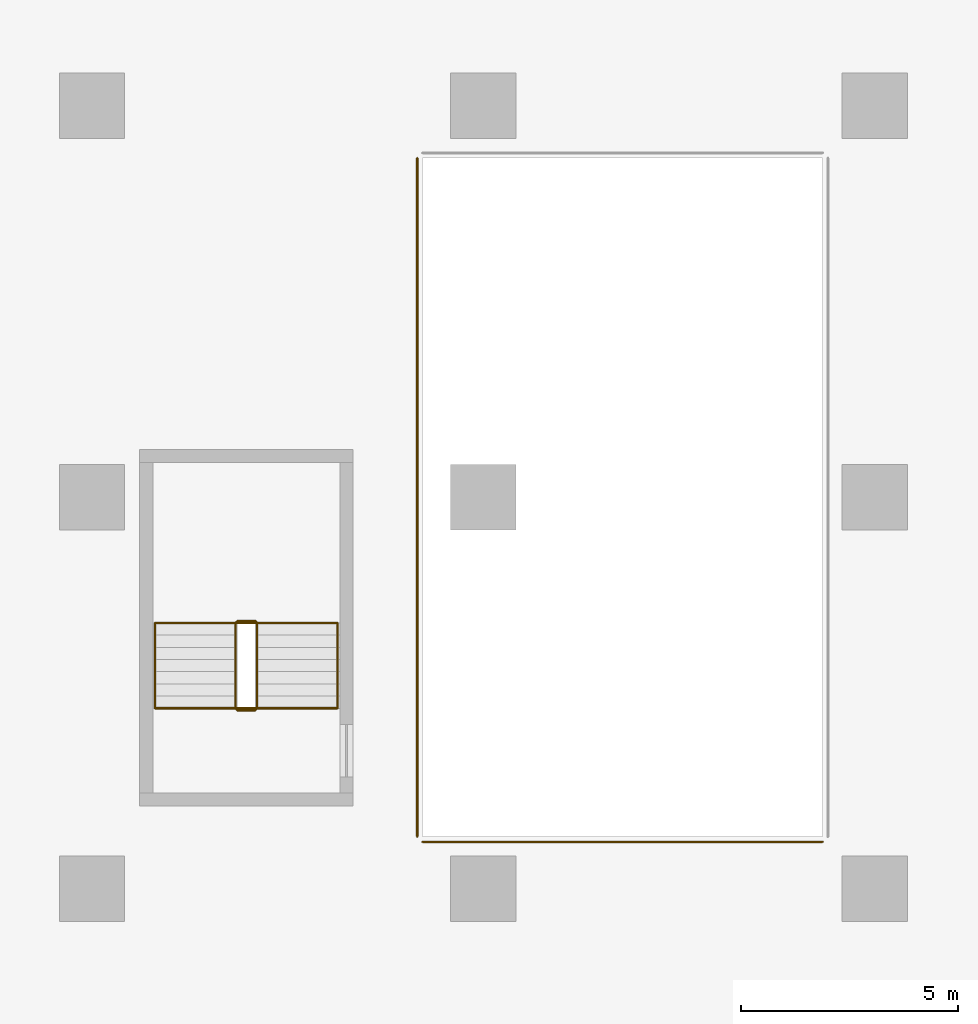
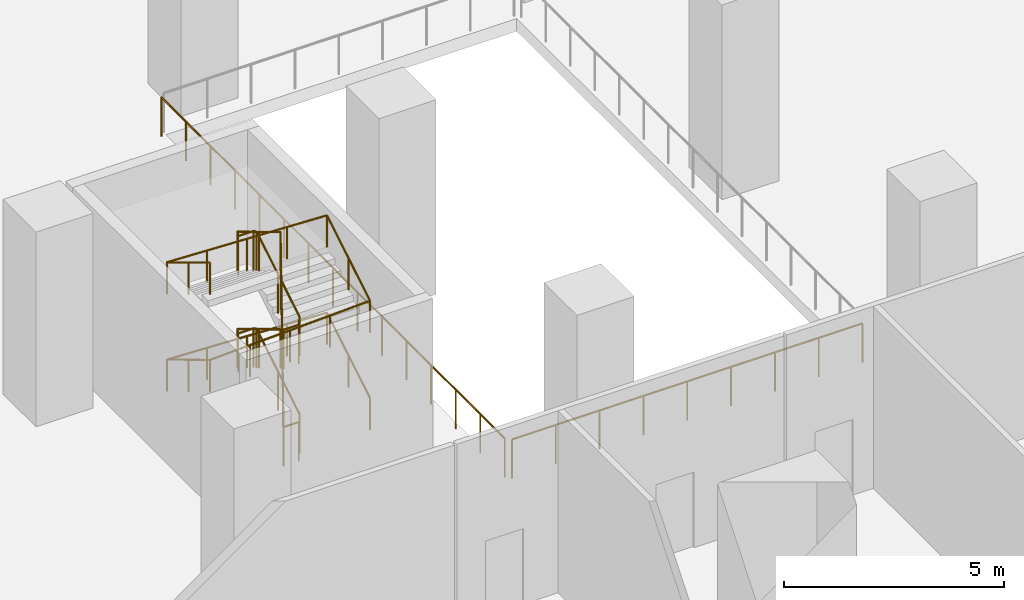
# One storey, part 31 of 44: 4 railings.
"""IFC4 building model written with IfcOpenShell, lengths in metres."""

from ifc_helpers import new_model, si_unit, direction, frame, origin, origin_2d, place, context, subcontext, project, spatial, circle, extrude, material, type_object, element, save


model = new_model("IFC4")

# Units and contexts
model_context = context("Model", 3, precision=1e-05, world=origin(), true_north=direction((0.0, 1.0)))
body_context = subcontext(model_context, "Body", "Model", "MODEL_VIEW")
ifc_project = project(units=[si_unit("LENGTHUNIT", "METRE"), si_unit("AREAUNIT", "SQUARE_METRE"), si_unit("VOLUMEUNIT", "CUBIC_METRE"), si_unit("PLANEANGLEUNIT", "RADIAN"), si_unit("MASSUNIT", "GRAM", prefix="KILO")], contexts=[model_context])

# Site, building, storey
site_placement = place(None, origin())
site = spatial("IfcSite", under=ifc_project, at=site_placement, CompositionType="ELEMENT")
building_placement = place(site_placement, origin())
building = spatial("IfcBuilding", under=site, at=building_placement, Name="Hunhe Ridgeline Campus", CompositionType="ELEMENT")
storey_placement = place(building_placement, frame((0.0, 0.0, 6.0)))
storey = spatial("IfcBuildingStorey", under=building, at=storey_placement, Name="L01", CompositionType="ELEMENT", Elevation=6.0)

# Railings
ifc_material_1 = material(Name="Glass and steel", Category="steel")
railing_type_1 = type_object("IfcRailingType", Name="Atrium glass guard 1100", PredefinedType="GUARDRAIL", material=ifc_material_1)
railing_1_placement = place(storey_placement, frame((25.47998046875, 43.800048828125, 0.0)))
element("IfcRailing", 1, at=railing_1_placement, inside=storey, type_object=railing_type_1, Name="L01 atrium guard", PredefinedType="GUARDRAIL", context=body_context, shape_type="SweptSolid", body=[
    extrude(circle(Radius=0.02392578125, at=origin_2d()), frame((0.0, 0.0, 1.076171875), z_axis=(0.0, -1.0, 0.0), x_axis=(1.0, 0.0, 0.0)), (0.0, 0.0, 1.0), 15.60009765625),
    extrude(circle(Radius=0.02099609375, at=origin_2d()), origin(), (0.0, 0.0, 1.0), 1.052001953125),
    extrude(circle(Radius=0.02099609375, at=origin_2d()), frame((0.0, -1.1142578125, 0.0)), (0.0, 0.0, 1.0), 1.052001953125),
    extrude(circle(Radius=0.02099609375, at=origin_2d()), frame((0.0, -2.228515625, 0.0)), (0.0, 0.0, 1.0), 1.052001953125),
    extrude(circle(Radius=0.02099609375, at=origin_2d()), frame((0.0, -3.3427734375, 0.0)), (0.0, 0.0, 1.0), 1.052001953125),
    extrude(circle(Radius=0.02099609375, at=origin_2d()), frame((0.0, -4.457275390625, 0.0)), (0.0, 0.0, 1.0), 1.052001953125),
    extrude(circle(Radius=0.02099609375, at=origin_2d()), frame((0.0, -5.571533203125, 0.0)), (0.0, 0.0, 1.0), 1.052001953125),
    extrude(circle(Radius=0.02099609375, at=origin_2d()), frame((0.0, -6.685791015625, 0.0)), (0.0, 0.0, 1.0), 1.052001953125),
    extrude(circle(Radius=0.02099609375, at=origin_2d()), frame((0.0, -7.800048828125, 0.0)), (0.0, 0.0, 1.0), 1.052001953125),
    extrude(circle(Radius=0.02099609375, at=origin_2d()), frame((0.0, -8.914306640625, 0.0)), (0.0, 0.0, 1.0), 1.052001953125),
    extrude(circle(Radius=0.02099609375, at=origin_2d()), frame((0.0, -10.028564453125, 0.0)), (0.0, 0.0, 1.0), 1.052001953125),
    extrude(circle(Radius=0.02099609375, at=origin_2d()), frame((0.0, -11.142822265625, 0.0)), (0.0, 0.0, 1.0), 1.052001953125),
    extrude(circle(Radius=0.02099609375, at=origin_2d()), frame((0.0, -12.25732421875, 0.0)), (0.0, 0.0, 1.0), 1.052001953125),
    extrude(circle(Radius=0.02099609375, at=origin_2d()), frame((0.0, -13.37158203125, 0.0)), (0.0, 0.0, 1.0), 1.052001953125),
    extrude(circle(Radius=0.02099609375, at=origin_2d()), frame((0.0, -14.48583984375, 0.0)), (0.0, 0.0, 1.0), 1.052001953125),
    extrude(circle(Radius=0.02099609375, at=origin_2d()), frame((0.0, -15.60009765625, 0.0)), (0.0, 0.0, 1.0), 1.052001953125),
])
railing_2_placement = place(storey_placement, frame((25.60009765625, 28.080078125, 0.0)))
element("IfcRailing", 2, at=railing_2_placement, inside=storey, type_object=railing_type_1, Name="L01 atrium guard", PredefinedType="GUARDRAIL", context=body_context, shape_type="SweptSolid", body=[
    extrude(circle(Radius=0.02392578125, at=origin_2d()), frame((0.0, 0.0, 1.076171875), z_axis=(1.0, 0.0, 0.0), x_axis=(0.0, 1.0, 0.0)), (0.0, 0.0, 1.0), 9.199951171875),
    extrude(circle(Radius=0.02099609375, at=origin_2d()), origin(), (0.0, 0.0, 1.0), 1.052001953125),
    extrude(circle(Radius=0.02099609375, at=origin_2d()), frame((1.14990234375, 0.0, 0.0)), (0.0, 0.0, 1.0), 1.052001953125),
    extrude(circle(Radius=0.02099609375, at=origin_2d()), frame((2.300048828125, 0.0, 0.0)), (0.0, 0.0, 1.0), 1.052001953125),
    extrude(circle(Radius=0.02099609375, at=origin_2d()), frame((3.449951171875, 0.0, 0.0)), (0.0, 0.0, 1.0), 1.052001953125),
    extrude(circle(Radius=0.02099609375, at=origin_2d()), frame((4.60009765625, 0.0, 0.0)), (0.0, 0.0, 1.0), 1.052001953125),
    extrude(circle(Radius=0.02099609375, at=origin_2d()), frame((5.75, 0.0, 0.0)), (0.0, 0.0, 1.0), 1.052001953125),
    extrude(circle(Radius=0.02099609375, at=origin_2d()), frame((6.89990234375, 0.0, 0.0)), (0.0, 0.0, 1.0), 1.052001953125),
    extrude(circle(Radius=0.02099609375, at=origin_2d()), frame((8.050048828125, 0.0, 0.0)), (0.0, 0.0, 1.0), 1.052001953125),
    extrude(circle(Radius=0.02099609375, at=origin_2d()), frame((9.199951171875, 0.0, 0.0)), (0.0, 0.0, 1.0), 1.052001953125),
])
ifc_material_2 = material(Name="Stainless steel balustrade", Category="steel")
railing_type_2 = type_object("IfcRailingType", Name="Stair guard 1100 stainless", PredefinedType="GUARDRAIL", material=ifc_material_2)
railing_3_placement = place(storey_placement, frame((21.800048828125, 31.14990234375, 0.168701171875)))
element("IfcRailing", 3, at=railing_3_placement, inside=storey, type_object=railing_type_2, Name="L01 stair W3 guard", PredefinedType="GUARDRAIL", context=body_context, shape_type="SweptSolid", body=[
    extrude(circle(Radius=0.02392578125, at=origin_2d()), frame((0.0, 0.0, 1.076171875), z_axis=(0.0, 0.856474724393, 0.516188963923), x_axis=(-1.0, 0.0, 0.0)), (0.0, 0.0, 1.0), 2.28857421875),
    extrude(circle(Radius=0.02392578125, at=origin_2d()), frame((0.0, 1.960205078125, 2.25732421875), z_axis=(-0.708833529934, 0.705375805398, 0.0), x_axis=(-0.705375805398, -0.708833529934, 0.0)), (0.0, 0.0, 1.0), 0.070556640625),
    extrude(circle(Radius=0.02392578125, at=origin_2d()), frame((-0.050048828125, 2.010009765625, 2.25732421875), z_axis=(-1.0, 0.0, 0.0), x_axis=(0.0, -1.0, 0.0)), (0.0, 0.0, 1.0), 0.39990234375),
    extrude(circle(Radius=0.02392578125, at=origin_2d()), frame((-0.449951171875, 2.010009765625, 2.25732421875), z_axis=(-0.273668752699, -0.272333783174, 0.922463942026), x_axis=(0.705375805398, -0.708833529934, 0.0)), (0.0, 0.0, 1.0), 0.182861328125),
    extrude(circle(Radius=0.02392578125, at=origin_2d()), frame((-0.5, 1.960205078125, 2.42626953125), z_axis=(0.0, -0.856521883693, 0.516110707847), x_axis=(1.0, 0.0, 0.0)), (0.0, 0.0, 1.0), 2.28857421875),
    extrude(circle(Radius=0.02392578125, at=origin_2d()), frame((-0.5, 0.0, 3.607421875), z_axis=(0.708833529934, -0.705375805398, 0.0), x_axis=(0.705375805398, 0.708833529934, 0.0)), (0.0, 0.0, 1.0), 0.070556640625),
    extrude(circle(Radius=0.02392578125, at=origin_2d()), frame((-0.449951171875, -0.0498046875, 3.607421875), z_axis=(1.0, 0.0, 0.0), x_axis=(0.0, 1.0, 0.0)), (0.0, 0.0, 1.0), 0.39990234375),
    extrude(circle(Radius=0.02392578125, at=origin_2d()), frame((-0.050048828125, -0.0498046875, 3.607421875), z_axis=(0.273668752699, 0.272333783174, 0.922463942026), x_axis=(-0.705375805398, 0.708833529934, 0.0)), (0.0, 0.0, 1.0), 0.182861328125),
    extrude(circle(Radius=0.02392578125, at=origin_2d()), frame((0.0, 0.0, 3.77587890625), z_axis=(0.0, 0.856474724393, 0.516188963923), x_axis=(-1.0, 0.0, 0.0)), (0.0, 0.0, 1.0), 2.28857421875),
    extrude(circle(Radius=0.02392578125, at=origin_2d()), frame((0.0, 1.960205078125, 4.95751953125), z_axis=(-0.708833529934, 0.705375805398, 0.0), x_axis=(-0.705375805398, -0.708833529934, 0.0)), (0.0, 0.0, 1.0), 0.070556640625),
    extrude(circle(Radius=0.02392578125, at=origin_2d()), frame((-0.050048828125, 2.010009765625, 4.95751953125), z_axis=(-1.0, 0.0, 0.0), x_axis=(0.0, -1.0, 0.0)), (0.0, 0.0, 1.0), 0.39990234375),
    extrude(circle(Radius=0.02392578125, at=origin_2d()), frame((-0.449951171875, 2.010009765625, 4.95751953125), z_axis=(-0.273668752699, -0.272333783174, 0.922463942026), x_axis=(0.705375805398, -0.708833529934, 0.0)), (0.0, 0.0, 1.0), 0.182861328125),
    extrude(circle(Radius=0.02392578125, at=origin_2d()), frame((-0.5, 1.960205078125, 5.1259765625), z_axis=(0.0, -0.856521883693, 0.516110707847), x_axis=(1.0, 0.0, 0.0)), (0.0, 0.0, 1.0), 2.28857421875),
    extrude(circle(Radius=0.02392578125, at=origin_2d()), frame((-0.5, 0.0, 6.30712890625), z_axis=(0.009267676893, -0.009222468713, -0.999914524465), x_axis=(1.0, 0.0, 0.0)), (0.0, 0.0, 1.0), 5.400390625),
    extrude(circle(Radius=0.02392578125, at=origin_2d()), frame((-0.449951171875, -0.0498046875, 0.9072265625), z_axis=(1.0, 0.0, 0.0), x_axis=(0.0, 1.0, 0.0)), (0.0, 0.0, 1.0), 0.39990234375),
    extrude(circle(Radius=0.02099609375, at=origin_2d()), origin(), (0.0, 0.0, 1.0), 1.052001953125),
    extrude(circle(Radius=0.02099609375, at=origin_2d()), frame((0.0, 0.97998046875, 0.5908203125)), (0.0, 0.0, 1.0), 1.052001953125),
    extrude(circle(Radius=0.02099609375, at=origin_2d()), frame((0.0, 1.960205078125, 1.181396484375)), (0.0, 0.0, 1.0), 1.052001953125),
    extrude(circle(Radius=0.02099609375, at=origin_2d()), frame((-0.050048828125, 2.010009765625, 1.181396484375)), (0.0, 0.0, 1.0), 1.052001953125),
    extrude(circle(Radius=0.02099609375, at=origin_2d()), frame((-0.449951171875, 2.010009765625, 1.181396484375)), (0.0, 0.0, 1.0), 1.052001953125),
    extrude(circle(Radius=0.02099609375, at=origin_2d()), frame((-0.5, 1.960205078125, 1.35009765625)), (0.0, 0.0, 1.0), 1.052001953125),
    extrude(circle(Radius=0.02099609375, at=origin_2d()), frame((-0.5, 0.97998046875, 1.940673828125)), (0.0, 0.0, 1.0), 1.052001953125),
    extrude(circle(Radius=0.02099609375, at=origin_2d()), frame((-0.5, 0.0, 2.53125)), (0.0, 0.0, 1.0), 1.052001953125),
    extrude(circle(Radius=0.02099609375, at=origin_2d()), frame((-0.449951171875, -0.0498046875, 2.53125)), (0.0, 0.0, 1.0), 1.052001953125),
    extrude(circle(Radius=0.02099609375, at=origin_2d()), frame((-0.050048828125, -0.0498046875, 2.53125)), (0.0, 0.0, 1.0), 1.052001953125),
    extrude(circle(Radius=0.02099609375, at=origin_2d()), frame((0.0, 0.0, 2.699951171875)), (0.0, 0.0, 1.0), 1.052001953125),
    extrude(circle(Radius=0.02099609375, at=origin_2d()), frame((0.0, 0.97998046875, 3.29052734375)), (0.0, 0.0, 1.0), 1.052001953125),
    extrude(circle(Radius=0.02099609375, at=origin_2d()), frame((0.0, 1.960205078125, 3.88134765625)), (0.0, 0.0, 1.0), 1.052001953125),
    extrude(circle(Radius=0.02099609375, at=origin_2d()), frame((-0.050048828125, 2.010009765625, 3.88134765625)), (0.0, 0.0, 1.0), 1.052001953125),
    extrude(circle(Radius=0.02099609375, at=origin_2d()), frame((-0.449951171875, 2.010009765625, 3.88134765625)), (0.0, 0.0, 1.0), 1.052001953125),
    extrude(circle(Radius=0.02099609375, at=origin_2d()), frame((-0.5, 1.960205078125, 4.050048828125)), (0.0, 0.0, 1.0), 1.052001953125),
    extrude(circle(Radius=0.02099609375, at=origin_2d()), frame((-0.5, 0.97998046875, 4.640625)), (0.0, 0.0, 1.0), 1.052001953125),
    extrude(circle(Radius=0.02099609375, at=origin_2d()), frame((-0.5, 0.0, 5.231201171875)), (0.0, 0.0, 1.0), 1.052001953125),
    extrude(circle(Radius=0.02099609375, at=origin_2d()), frame((-0.489990234375, -0.010009765625, 4.151123046875)), (0.0, 0.0, 1.0), 1.052001953125),
    extrude(circle(Radius=0.02099609375, at=origin_2d()), frame((-0.47998046875, -0.02001953125, 3.0712890625)), (0.0, 0.0, 1.0), 1.052001953125),
    extrude(circle(Radius=0.02099609375, at=origin_2d()), frame((-0.469970703125, -0.02978515625, 1.9912109375)), (0.0, 0.0, 1.0), 1.052001953125),
    extrude(circle(Radius=0.02099609375, at=origin_2d()), frame((-0.4599609375, -0.039794921875, 0.911376953125)), (0.0, 0.0, 1.0), 1.052001953125),
    extrude(circle(Radius=0.02099609375, at=origin_2d()), frame((-0.449951171875, -0.0498046875, -0.168701171875)), (0.0, 0.0, 1.0), 1.052001953125),
    extrude(circle(Radius=0.02099609375, at=origin_2d()), frame((-0.050048828125, -0.0498046875, -0.168701171875)), (0.0, 0.0, 1.0), 1.052001953125),
])
ifc_material_3 = material(Name="Stainless steel handrail", Category="steel")
railing_type_3 = type_object("IfcRailingType", Name="Stair handrail 900 stainless", PredefinedType="HANDRAIL", material=ifc_material_3)
railing_4_placement = place(storey_placement, frame((23.64990234375, 31.14990234375, 0.168701171875)))
element("IfcRailing", 4, at=railing_4_placement, inside=storey, type_object=railing_type_3, Name="L01 stair W3 handrail", PredefinedType="HANDRAIL", context=body_context, shape_type="SweptSolid", body=[
    extrude(circle(Radius=0.02392578125, at=origin_2d()), frame((0.0, 0.0, 0.8759765625), z_axis=(0.0, 0.856474724393, 0.516188963923), x_axis=(-1.0, 0.0, 0.0)), (0.0, 0.0, 1.0), 2.28857421875),
    extrude(circle(Radius=0.02392578125, at=origin_2d()), frame((0.0, 1.960205078125, 2.05712890625), z_axis=(-0.999194264342, 0.0, 0.040135048344), x_axis=(0.0, -1.0, 0.0)), (0.0, 0.0, 1.0), 4.203369140625),
    extrude(circle(Radius=0.02392578125, at=origin_2d()), frame((-4.199951171875, 1.960205078125, 2.22607421875), z_axis=(0.0, -0.856521883693, 0.516110707847), x_axis=(1.0, 0.0, 0.0)), (0.0, 0.0, 1.0), 2.28857421875),
    extrude(circle(Radius=0.02392578125, at=origin_2d()), frame((-4.199951171875, 0.0, 3.4072265625), z_axis=(0.999194264342, 0.0, 0.040135048344), x_axis=(0.0, 1.0, 0.0)), (0.0, 0.0, 1.0), 4.203369140625),
    extrude(circle(Radius=0.02392578125, at=origin_2d()), frame((0.0, 0.0, 3.57568359375), z_axis=(0.0, 0.856474724393, 0.516188963923), x_axis=(-1.0, 0.0, 0.0)), (0.0, 0.0, 1.0), 2.28857421875),
    extrude(circle(Radius=0.02392578125, at=origin_2d()), frame((0.0, 1.960205078125, 4.75732421875), z_axis=(-0.999194264342, 0.0, 0.040135048344), x_axis=(0.0, -1.0, 0.0)), (0.0, 0.0, 1.0), 4.203369140625),
    extrude(circle(Radius=0.02392578125, at=origin_2d()), frame((-4.199951171875, 1.960205078125, 4.92578125), z_axis=(0.0, -0.856521883693, 0.516110707847), x_axis=(1.0, 0.0, 0.0)), (0.0, 0.0, 1.0), 2.28857421875),
    extrude(circle(Radius=0.02099609375, at=origin_2d()), origin(), (0.0, 0.0, 1.0), 0.851806640625),
    extrude(circle(Radius=0.02099609375, at=origin_2d()), frame((0.0, 0.97998046875, 0.5908203125)), (0.0, 0.0, 1.0), 0.851806640625),
    extrude(circle(Radius=0.02099609375, at=origin_2d()), frame((0.0, 1.960205078125, 1.181396484375)), (0.0, 0.0, 1.0), 0.851806640625),
    extrude(circle(Radius=0.02099609375, at=origin_2d()), frame((-1.050048828125, 1.960205078125, 1.2236328125)), (0.0, 0.0, 1.0), 0.851806640625),
    extrude(circle(Radius=0.02099609375, at=origin_2d()), frame((-2.10009765625, 1.960205078125, 1.265625)), (0.0, 0.0, 1.0), 0.851806640625),
    extrude(circle(Radius=0.02099609375, at=origin_2d()), frame((-3.14990234375, 1.960205078125, 1.307861328125)), (0.0, 0.0, 1.0), 0.851806640625),
    extrude(circle(Radius=0.02099609375, at=origin_2d()), frame((-4.199951171875, 1.960205078125, 1.35009765625)), (0.0, 0.0, 1.0), 0.851806640625),
    extrude(circle(Radius=0.02099609375, at=origin_2d()), frame((-4.199951171875, 0.97998046875, 1.940673828125)), (0.0, 0.0, 1.0), 0.851806640625),
    extrude(circle(Radius=0.02099609375, at=origin_2d()), frame((-4.199951171875, 0.0, 2.53125)), (0.0, 0.0, 1.0), 0.851806640625),
    extrude(circle(Radius=0.02099609375, at=origin_2d()), frame((-3.14990234375, 0.0, 2.573486328125)), (0.0, 0.0, 1.0), 0.851806640625),
    extrude(circle(Radius=0.02099609375, at=origin_2d()), frame((-2.10009765625, 0.0, 2.61572265625)), (0.0, 0.0, 1.0), 0.851806640625),
    extrude(circle(Radius=0.02099609375, at=origin_2d()), frame((-1.050048828125, 0.0, 2.65771484375)), (0.0, 0.0, 1.0), 0.851806640625),
    extrude(circle(Radius=0.02099609375, at=origin_2d()), frame((0.0, 0.0, 2.699951171875)), (0.0, 0.0, 1.0), 0.851806640625),
    extrude(circle(Radius=0.02099609375, at=origin_2d()), frame((0.0, 0.97998046875, 3.29052734375)), (0.0, 0.0, 1.0), 0.851806640625),
    extrude(circle(Radius=0.02099609375, at=origin_2d()), frame((0.0, 1.960205078125, 3.88134765625)), (0.0, 0.0, 1.0), 0.851806640625),
    extrude(circle(Radius=0.02099609375, at=origin_2d()), frame((-1.050048828125, 1.960205078125, 3.923583984375)), (0.0, 0.0, 1.0), 0.851806640625),
    extrude(circle(Radius=0.02099609375, at=origin_2d()), frame((-2.10009765625, 1.960205078125, 3.9658203125)), (0.0, 0.0, 1.0), 0.851806640625),
    extrude(circle(Radius=0.02099609375, at=origin_2d()), frame((-3.14990234375, 1.960205078125, 4.0078125)), (0.0, 0.0, 1.0), 0.851806640625),
    extrude(circle(Radius=0.02099609375, at=origin_2d()), frame((-4.199951171875, 1.960205078125, 4.050048828125)), (0.0, 0.0, 1.0), 0.851806640625),
    extrude(circle(Radius=0.02099609375, at=origin_2d()), frame((-4.199951171875, 0.97998046875, 4.640625)), (0.0, 0.0, 1.0), 0.851806640625),
    extrude(circle(Radius=0.02099609375, at=origin_2d()), frame((-4.199951171875, 0.0, 5.231201171875)), (0.0, 0.0, 1.0), 0.851806640625),
])

save(model, "model.ifc")
